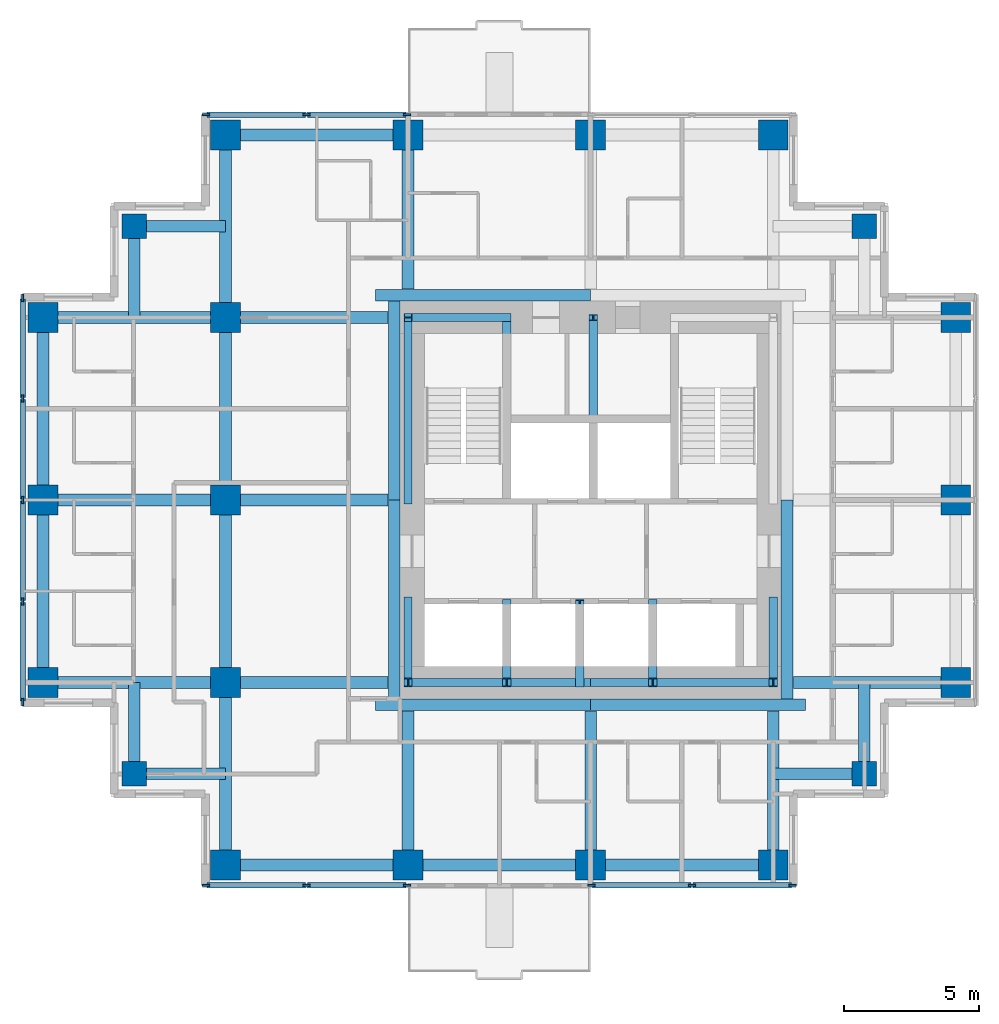
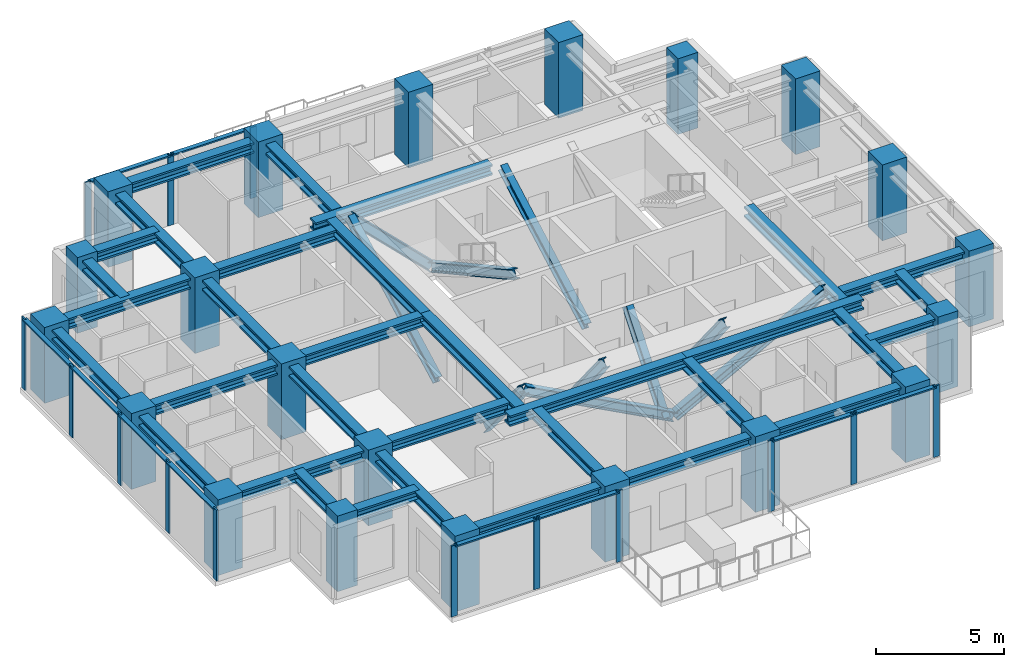
# One storey, part 1 of 8: 35 members, 33 beams, 21 columns, 4 elements without a shape of their own.
"""IFC4 building model written with IfcOpenShell, lengths in metres."""

from ifc_helpers import new_model, si_unit, direction, frame, origin, origin_2d, place, context, subcontext, project, spatial, rectangle, i_section, extrude, material, material_profile, profile_set, type_object, element, aggregate, save


model = new_model("IFC4")

# Units and contexts
model_context = context("Model", 3, precision=1e-05, world=origin(), true_north=direction((0.0, 1.0)))
body_context = subcontext(model_context, "Body", "Model", "MODEL_VIEW")
ifc_project = project(units=[si_unit("LENGTHUNIT", "METRE"), si_unit("AREAUNIT", "SQUARE_METRE"), si_unit("VOLUMEUNIT", "CUBIC_METRE"), si_unit("PLANEANGLEUNIT", "RADIAN"), si_unit("MASSUNIT", "GRAM", prefix="KILO")], contexts=[model_context])

# Site, building, storey
site_placement = place(None, origin())
site = spatial("IfcSite", under=ifc_project, at=site_placement, CompositionType="ELEMENT")
building_placement = place(site_placement, origin())
building = spatial("IfcBuilding", under=site, at=building_placement, Name="Nyansa Garden Tower", CompositionType="ELEMENT")
storey_placement = place(building_placement, frame((0.0, 0.0, 218.699951171875)))
storey = spatial("IfcBuildingStorey", under=building, at=storey_placement, Name="L59", CompositionType="ELEMENT", Elevation=218.699951171875)

# Columns
ifc_material_1 = material(Name="Concrete C70/85", Category="concrete")
ifc_material_profile_1 = material_profile(ifc_material_1, rectangle(XDim=1.10009765625, YDim=1.10009765625, at=origin_2d()), Name="RC 1100x1100")
ifc_profile_set_1 = profile_set([ifc_material_profile_1], Name="Concrete C70/85")
column_type_1 = type_object("IfcColumnType", Name="Column C110 RC 1100x1100", PredefinedType="COLUMN", material=ifc_profile_set_1)
for number, where, z_axis, x_axis, name in (
    (1, (0.0, 13.5, 0.0), (0.0, 0.0, 1.0), (1.0, 0.0, 0.0), "Column 2/F L59"),
    (2, (0.0, 20.25, 0.0), (0.0, 0.0, 1.0), (1.0, 0.0, 0.0), "Column 2/G L59"),
    (3, (0.0, 27.0, 0.0), (0.0, 0.0, 1.0), (1.0, 0.0, 0.0), "Column 2/H L59"),
    (4, (6.75, 6.75, 0.0), (0.0, 0.0, 1.0), (1.0, 0.0, 0.0), "Column 3/E L59"),
    (5, (6.75, 13.5, 0.0), (0.0, 0.0, 1.0), (1.0, 0.0, 0.0), "Column 3/F L59"),
    (6, (6.75, 20.25, 0.0), (0.0, 0.0, 1.0), (1.0, 0.0, 0.0), "Column 3/G L59"),
    (7, (6.75, 27.0, 0.0), (0.0, 0.0, 1.0), (1.0, 0.0, 0.0), "Column 3/H L59"),
    (8, (6.75, 33.75, 0.0), (0.0, 0.0, 1.0), (1.0, 0.0, 0.0), "Column 3/J L59"),
    (9, (13.5, 6.75, 0.0), (0.0, 0.0, 1.0), (1.0, 0.0, 0.0), "Column 4/E L59"),
    (10, (13.5, 33.75, 0.0), (0.0, 0.0, 1.0), (1.0, 0.0, 0.0), "Column 4/J L59"),
    (11, (20.25, 6.75, 0.0), (0.0, 0.0, 1.0), (1.0, 0.0, 0.0), "Column 5/E L59"),
    (12, (20.25, 33.75, 0.0), (0.0, 0.0, 1.0), (1.0, 0.0, 0.0), "Column 5/J L59"),
    (13, (27.0, 6.75, 0.0), (0.0, 0.0, 1.0), (1.0, 0.0, 0.0), "Column 6/E L59"),
    (14, (27.0, 33.75, 0.0), (0.0, 0.0, 1.0), (1.0, 0.0, 0.0), "Column 6/J L59"),
    (15, (33.75, 13.5, 0.0), (0.0, 0.0, 1.0), (1.0, 0.0, 0.0), "Column 7/F L59"),
    (16, (33.75, 20.25, 0.0), (0.0, 0.0, 1.0), (1.0, 0.0, 0.0), "Column 7/G L59"),
    (17, (33.75, 27.0, 0.0), (0.0, 0.0, 1.0), (1.0, 0.0, 0.0), "Column 7/H L59"),
):
    element("IfcColumn", number, at=place(storey_placement, frame(where, z_axis=z_axis, x_axis=x_axis)), inside=storey, type_object=column_type_1, Name=name, PredefinedType="COLUMN", context=body_context, shape_type="SweptSolid", body=[
        extrude(rectangle(XDim=1.10009765625, YDim=1.10009765625, at=origin_2d()), origin(), (0.0, 0.0, 1.0), 3.60009765625),
    ])
ifc_material_2 = material(Name="Concrete C70/85", Category="concrete")
ifc_material_profile_2 = material_profile(ifc_material_2, rectangle(XDim=0.89990234375, YDim=0.89990234375, at=origin_2d()), Name="RC 900x900")
ifc_profile_set_2 = profile_set([ifc_material_profile_2], Name="Concrete C70/85")
column_type_2 = type_object("IfcColumnType", Name="Column C90 RC 900x900", PredefinedType="COLUMN", material=ifc_profile_set_2)
for number, where, z_axis, x_axis, name in (
    (18, (3.375, 10.125, 0.0), (0.0, 0.0, 1.0), (1.0, 0.0, 0.0), "Column x3.375/y10.125 L59"),
    (19, (3.375, 30.375, 0.0), (0.0, 0.0, 1.0), (1.0, 0.0, 0.0), "Column x3.375/y30.375 L59"),
    (20, (30.375, 10.125, 0.0), (0.0, 0.0, 1.0), (1.0, 0.0, 0.0), "Column x30.375/y10.125 L59"),
    (21, (30.375, 30.375, 0.0), (0.0, 0.0, 1.0), (1.0, 0.0, 0.0), "Column x30.375/y30.375 L59"),
):
    element("IfcColumn", number, at=place(storey_placement, frame(where, z_axis=z_axis, x_axis=x_axis)), inside=storey, type_object=column_type_2, Name=name, PredefinedType="COLUMN", context=body_context, shape_type="SweptSolid", body=[
        extrude(rectangle(XDim=0.89990234375, YDim=0.89990234375, at=origin_2d()), origin(), (0.0, 0.0, 1.0), 3.60009765625),
    ])

# Curtain wall, members
ifc_material_3 = material(Name="Black anodised aluminium, dark tinted double glazing", Category="aluminium")
curtain_wall_type = type_object("IfcCurtainWallType", Name="Inner skin curtain wall ISW-D", PredefinedType="USERDEFINED", material=ifc_material_3)
curtain_wall_1_placement = place(storey_placement, origin())
curtain_wall_1 = element("IfcCurtainWall", 22, at=curtain_wall_1_placement, inside=storey, type_object=curtain_wall_type, Name="Inner skin curtain wall L59 N", ObjectType="UNITISED CURTAIN WALL", PredefinedType="USERDEFINED")
ifc_material_4 = material(Name="Black anodised aluminium", Category="aluminium")
ifc_material_profile_3 = material_profile(ifc_material_4, rectangle(XDim=0.070068359375, YDim=0.27490234375, at=origin_2d()), Name="Mullion 275x70")
ifc_profile_set_3 = profile_set([ifc_material_profile_3], Name="Black anodised aluminium")
member_type_1 = type_object("IfcMemberType", Name="Mullion ISW-D 275x70", PredefinedType="MULLION", material=ifc_profile_set_3)
member_1_placement = place(storey_placement, frame((13.465087890625, 34.5, 0.0), z_axis=(0.0, 0.0, 1.0), x_axis=(0.0, -1.0, 0.0)))
member_1 = element("IfcMember", 23, at=member_1_placement, type_object=member_type_1, Name="ISW-D mullion 1", PredefinedType="MULLION", context=body_context, shape_type="SweptSolid", body=[
    extrude(rectangle(XDim=0.070068359375, YDim=0.27490234375, at=origin_2d()), origin(), (0.0, 0.0, 1.0), 3.375),
])
member_2_placement = place(storey_placement, frame((9.75, 34.5, 0.0), z_axis=(0.0, 0.0, 1.0), x_axis=(0.0, -1.0, 0.0)))
member_2 = element("IfcMember", 24, at=member_2_placement, type_object=member_type_1, Name="ISW-D mullion 2", PredefinedType="MULLION", context=body_context, shape_type="SweptSolid", body=[
    extrude(rectangle(XDim=0.070068359375, YDim=0.27490234375, at=origin_2d()), origin(), (0.0, 0.0, 1.0), 3.375),
])
member_3_placement = place(storey_placement, frame((6.034912109375, 34.5, 0.0), z_axis=(0.0, 0.0, 1.0), x_axis=(0.0, -1.0, 0.0)))
member_3 = element("IfcMember", 25, at=member_3_placement, type_object=member_type_1, Name="ISW-D mullion 3", PredefinedType="MULLION", context=body_context, shape_type="SweptSolid", body=[
    extrude(rectangle(XDim=0.070068359375, YDim=0.27490234375, at=origin_2d()), origin(), (0.0, 0.0, 1.0), 3.375),
])

curtain_wall_2_placement = place(storey_placement, origin())
curtain_wall_2 = element("IfcCurtainWall", 26, at=curtain_wall_2_placement, inside=storey, type_object=curtain_wall_type, Name="Inner skin curtain wall L59 W", ObjectType="UNITISED CURTAIN WALL", PredefinedType="USERDEFINED")
member_4_placement = place(storey_placement, frame((-0.75, 27.715087890625, 0.0), z_axis=(0.0, 0.0, 1.0), x_axis=(1.0, 0.0, 0.0)))
member_4 = element("IfcMember", 27, at=member_4_placement, type_object=member_type_1, Name="ISW-D mullion 1", PredefinedType="MULLION", context=body_context, shape_type="SweptSolid", body=[
    extrude(rectangle(XDim=0.070068359375, YDim=0.27490234375, at=origin_2d()), origin(), (0.0, 0.0, 1.0), 3.375),
])
member_5_placement = place(storey_placement, frame((-0.75, 24.0, 0.0), z_axis=(0.0, 0.0, 1.0), x_axis=(1.0, 0.0, 0.0)))
member_5 = element("IfcMember", 28, at=member_5_placement, type_object=member_type_1, Name="ISW-D mullion 2", PredefinedType="MULLION", context=body_context, shape_type="SweptSolid", body=[
    extrude(rectangle(XDim=0.070068359375, YDim=0.27490234375, at=origin_2d()), origin(), (0.0, 0.0, 1.0), 3.375),
])
member_6_placement = place(storey_placement, frame((-0.75, 20.25, 0.0), z_axis=(0.0, 0.0, 1.0), x_axis=(1.0, 0.0, 0.0)))
member_6 = element("IfcMember", 29, at=member_6_placement, type_object=member_type_1, Name="ISW-D mullion 3", PredefinedType="MULLION", context=body_context, shape_type="SweptSolid", body=[
    extrude(rectangle(XDim=0.070068359375, YDim=0.27490234375, at=origin_2d()), origin(), (0.0, 0.0, 1.0), 3.375),
])
member_7_placement = place(storey_placement, frame((-0.75, 16.5, 0.0), z_axis=(0.0, 0.0, 1.0), x_axis=(1.0, 0.0, 0.0)))
member_7 = element("IfcMember", 30, at=member_7_placement, type_object=member_type_1, Name="ISW-D mullion 4", PredefinedType="MULLION", context=body_context, shape_type="SweptSolid", body=[
    extrude(rectangle(XDim=0.070068359375, YDim=0.27490234375, at=origin_2d()), origin(), (0.0, 0.0, 1.0), 3.375),
])
member_8_placement = place(storey_placement, frame((-0.75, 12.784912109375, 0.0), z_axis=(0.0, 0.0, 1.0), x_axis=(1.0, 0.0, 0.0)))
member_8 = element("IfcMember", 31, at=member_8_placement, type_object=member_type_1, Name="ISW-D mullion 5", PredefinedType="MULLION", context=body_context, shape_type="SweptSolid", body=[
    extrude(rectangle(XDim=0.070068359375, YDim=0.27490234375, at=origin_2d()), origin(), (0.0, 0.0, 1.0), 3.375),
])

curtain_wall_3_placement = place(storey_placement, origin())
curtain_wall_3 = element("IfcCurtainWall", 32, at=curtain_wall_3_placement, inside=storey, type_object=curtain_wall_type, Name="Inner skin curtain wall L59 S", ObjectType="UNITISED CURTAIN WALL", PredefinedType="USERDEFINED")
member_9_placement = place(storey_placement, frame((6.034912109375, 6.0, 0.0), z_axis=(0.0, 0.0, 1.0), x_axis=(0.0, 1.0, 0.0)))
member_9 = element("IfcMember", 33, at=member_9_placement, type_object=member_type_1, Name="ISW-D mullion 1", PredefinedType="MULLION", context=body_context, shape_type="SweptSolid", body=[
    extrude(rectangle(XDim=0.070068359375, YDim=0.27490234375, at=origin_2d()), origin(), (0.0, 0.0, 1.0), 3.375),
])
member_10_placement = place(storey_placement, frame((9.75, 6.0, 0.0), z_axis=(0.0, 0.0, 1.0), x_axis=(0.0, 1.0, 0.0)))
member_10 = element("IfcMember", 34, at=member_10_placement, type_object=member_type_1, Name="ISW-D mullion 2", PredefinedType="MULLION", context=body_context, shape_type="SweptSolid", body=[
    extrude(rectangle(XDim=0.070068359375, YDim=0.27490234375, at=origin_2d()), origin(), (0.0, 0.0, 1.0), 3.375),
])
member_11_placement = place(storey_placement, frame((13.465087890625, 6.0, 0.0), z_axis=(0.0, 0.0, 1.0), x_axis=(0.0, 1.0, 0.0)))
member_11 = element("IfcMember", 35, at=member_11_placement, type_object=member_type_1, Name="ISW-D mullion 3", PredefinedType="MULLION", context=body_context, shape_type="SweptSolid", body=[
    extrude(rectangle(XDim=0.070068359375, YDim=0.27490234375, at=origin_2d()), origin(), (0.0, 0.0, 1.0), 3.375),
])

curtain_wall_4_placement = place(storey_placement, origin())
curtain_wall_4 = element("IfcCurtainWall", 36, at=curtain_wall_4_placement, inside=storey, type_object=curtain_wall_type, Name="Inner skin curtain wall L59 S", ObjectType="UNITISED CURTAIN WALL", PredefinedType="USERDEFINED")
member_12_placement = place(storey_placement, frame((20.284912109375, 6.0, 0.0), z_axis=(0.0, 0.0, 1.0), x_axis=(0.0, 1.0, 0.0)))
member_12 = element("IfcMember", 37, at=member_12_placement, type_object=member_type_1, Name="ISW-D mullion 1", PredefinedType="MULLION", context=body_context, shape_type="SweptSolid", body=[
    extrude(rectangle(XDim=0.070068359375, YDim=0.27490234375, at=origin_2d()), origin(), (0.0, 0.0, 1.0), 3.375),
])
member_13_placement = place(storey_placement, frame((24.0, 6.0, 0.0), z_axis=(0.0, 0.0, 1.0), x_axis=(0.0, 1.0, 0.0)))
member_13 = element("IfcMember", 38, at=member_13_placement, type_object=member_type_1, Name="ISW-D mullion 2", PredefinedType="MULLION", context=body_context, shape_type="SweptSolid", body=[
    extrude(rectangle(XDim=0.070068359375, YDim=0.27490234375, at=origin_2d()), origin(), (0.0, 0.0, 1.0), 3.375),
])
member_14_placement = place(storey_placement, frame((27.715087890625, 6.0, 0.0), z_axis=(0.0, 0.0, 1.0), x_axis=(0.0, 1.0, 0.0)))
member_14 = element("IfcMember", 39, at=member_14_placement, type_object=member_type_1, Name="ISW-D mullion 3", PredefinedType="MULLION", context=body_context, shape_type="SweptSolid", body=[
    extrude(rectangle(XDim=0.070068359375, YDim=0.27490234375, at=origin_2d()), origin(), (0.0, 0.0, 1.0), 3.375),
])

# Members
ifc_material_5 = material(Name="Steel S355", Category="steel")
ifc_material_profile_4 = material_profile(ifc_material_5, i_section(OverallWidth=0.306884765625, OverallDepth=0.431884765625, WebThickness=0.02099609375, FlangeThickness=0.0400390625, FilletRadius=0.027099609375, at=origin_2d()), Name="HE 400 M")
ifc_profile_set_4 = profile_set([ifc_material_profile_4], Name="Steel S355")
member_type_2 = type_object("IfcMemberType", Name="Perimeter brace HE 400 M", PredefinedType="BRACE", material=ifc_profile_set_4)
for number, where, z_axis, x_axis, name in (
    (40, (20.25, 13.5, 0.0), (-0.882347640589, 0.0, 0.47059817376), (0.0, -1.0, 0.0), "Core brace CS1 L59"),
    (41, (20.25, 13.5, 0.0), (0.882347640589, 0.0, 0.47059817376), (0.0, 1.0, 0.0), "Core brace CS2 L59"),
):
    element("IfcMember", number, at=place(storey_placement, frame(where, z_axis=z_axis, x_axis=x_axis)), inside=storey, type_object=member_type_2, Name=name, PredefinedType="BRACE", context=body_context, shape_type="SweptSolid", body=[
        extrude(i_section(OverallWidth=0.306884765625, OverallDepth=0.431884765625, WebThickness=0.02099609375, FlangeThickness=0.0400390625, FilletRadius=0.027099609375, at=origin_2d()), origin(), (0.0, 0.0, 1.0), 7.650146484375),
    ])
member_15_placement = place(storey_placement, frame((17.14990234375, 27.0, 0.0), z_axis=(-0.711947531702, 0.0, 0.702232662373), x_axis=(0.0, -1.0, 0.0)))
element("IfcMember", 42, at=member_15_placement, inside=storey, type_object=member_type_2, Name="Core brace CN3 L59", PredefinedType="BRACE", context=body_context, shape_type="SweptSolid", body=[
    extrude(i_section(OverallWidth=0.306884765625, OverallDepth=0.431884765625, WebThickness=0.02099609375, FlangeThickness=0.0400390625, FilletRadius=0.027099609375, at=origin_2d()), origin(), (0.0, 0.0, 1.0), 5.126708984375),
])
member_16_placement = place(storey_placement, frame((13.5, 16.5, 0.0), z_axis=(0.0, -0.640174150918, 0.768229820104), x_axis=(1.0, 0.0, 0.0)))
element("IfcMember", 43, at=member_16_placement, inside=storey, type_object=member_type_2, Name="Core brace CW5 L59", PredefinedType="BRACE", context=body_context, shape_type="SweptSolid", body=[
    extrude(i_section(OverallWidth=0.306884765625, OverallDepth=0.431884765625, WebThickness=0.02099609375, FlangeThickness=0.0400390625, FilletRadius=0.027099609375, at=origin_2d()), origin(), (0.0, 0.0, 1.0), 4.686279296875),
])
member_17_placement = place(storey_placement, frame((13.5, 20.199951171875, 0.0), z_axis=(0.0, 0.883784057226, 0.467895009796), x_axis=(-1.0, 0.0, 0.0)))
element("IfcMember", 44, at=member_17_placement, inside=storey, type_object=member_type_2, Name="Core brace CW6 L59", PredefinedType="BRACE", context=body_context, shape_type="SweptSolid", body=[
    extrude(i_section(OverallWidth=0.306884765625, OverallDepth=0.431884765625, WebThickness=0.02099609375, FlangeThickness=0.0400390625, FilletRadius=0.027099609375, at=origin_2d()), origin(), (0.0, 0.0, 1.0), 7.6943359375),
])
member_18_placement = place(storey_placement, frame((27.0, 16.5, 0.0), z_axis=(0.0, -0.640174150918, 0.768229820104), x_axis=(1.0, 0.0, 0.0)))
element("IfcMember", 45, at=member_18_placement, inside=storey, type_object=member_type_2, Name="Core brace CE7 L59", PredefinedType="BRACE", context=body_context, shape_type="SweptSolid", body=[
    extrude(i_section(OverallWidth=0.306884765625, OverallDepth=0.431884765625, WebThickness=0.02099609375, FlangeThickness=0.0400390625, FilletRadius=0.027099609375, at=origin_2d()), origin(), (0.0, 0.0, 1.0), 4.686279296875),
])
member_19_placement = place(storey_placement, frame((17.14990234375, 27.0, 0.0), z_axis=(0.0, -0.876353113771, 0.481669201822), x_axis=(1.0, 0.0, 0.0)))
element("IfcMember", 46, at=member_19_placement, inside=storey, type_object=member_type_2, Name="Core brace CWS9 L59", PredefinedType="BRACE", context=body_context, shape_type="SweptSolid", body=[
    extrude(i_section(OverallWidth=0.306884765625, OverallDepth=0.431884765625, WebThickness=0.02099609375, FlangeThickness=0.0400390625, FilletRadius=0.027099609375, at=origin_2d()), origin(), (0.0, 0.0, 1.0), 7.47412109375),
])
for number, where, z_axis, x_axis, name in (
    (47, (17.14990234375, 16.39990234375, 0.0), (0.0, -0.627306405886, 0.778772542617), (1.0, 0.0, 0.0), "Core brace CSW11 L59"),
    (48, (19.85009765625, 13.5, 0.0), (0.0, 0.627306405886, 0.778772542617), (-1.0, 0.0, 0.0), "Core brace CSW12 L59"),
    (49, (22.550048828125, 16.39990234375, 0.0), (0.0, -0.627306405886, 0.778772542617), (1.0, 0.0, 0.0), "Core brace CSW13 L59"),
):
    element("IfcMember", number, at=place(storey_placement, frame(where, z_axis=z_axis, x_axis=x_axis)), inside=storey, type_object=member_type_2, Name=name, PredefinedType="BRACE", context=body_context, shape_type="SweptSolid", body=[
        extrude(i_section(OverallWidth=0.306884765625, OverallDepth=0.431884765625, WebThickness=0.02099609375, FlangeThickness=0.0400390625, FilletRadius=0.027099609375, at=origin_2d()), origin(), (0.0, 0.0, 1.0), 4.622802734375),
    ])
member_20_placement = place(storey_placement, frame((20.35009765625, 20.449951171875, 0.0), z_axis=(0.0, 0.876353113771, 0.481669201822), x_axis=(-1.0, 0.0, 0.0)))
element("IfcMember", 50, at=member_20_placement, inside=storey, type_object=member_type_2, Name="Core brace CNW14 L59", PredefinedType="BRACE", context=body_context, shape_type="SweptSolid", body=[
    extrude(i_section(OverallWidth=0.306884765625, OverallDepth=0.431884765625, WebThickness=0.02099609375, FlangeThickness=0.0400390625, FilletRadius=0.027099609375, at=origin_2d()), origin(), (0.0, 0.0, 1.0), 7.47412109375),
])

# Beams
ifc_material_6 = material(Name="Steel S355", Category="steel")
ifc_material_profile_5 = material_profile(ifc_material_6, i_section(OverallWidth=0.431884765625, OverallDepth=0.498046875, WebThickness=0.0556640625, FlangeThickness=0.0888671875, FilletRadius=0.014892578125, at=origin_2d()), Name="HD 400x744")
ifc_profile_set_5 = profile_set([ifc_material_profile_5], Name="Steel S355")
beam_type_1 = type_object("IfcBeamType", Name="Steel beam SBD1-744 HD 400x744", PredefinedType="BEAM", material=ifc_profile_set_5)
for number, where, z_axis, x_axis, name in (
    (51, (0.0, 13.5, 3.1259765625), (1.0, 0.0, 0.0), (0.0, 1.0, 0.0), "Steel beam 2/F-3/F L60"),
    (52, (0.0, 20.25, 3.1259765625), (1.0, 0.0, 0.0), (0.0, 1.0, 0.0), "Steel beam 2/G-3/G L60"),
    (53, (0.0, 27.0, 3.1259765625), (1.0, 0.0, 0.0), (0.0, 1.0, 0.0), "Steel beam 2/H-3/H L60"),
    (54, (6.75, 6.75, 3.1259765625), (0.0, 1.0, 0.0), (-1.0, 0.0, 0.0), "Steel beam 3/E-3/F L60"),
    (55, (6.75, 13.5, 3.1259765625), (0.0, 1.0, 0.0), (-1.0, 0.0, 0.0), "Steel beam 3/F-3/G L60"),
):
    element("IfcBeam", number, at=place(storey_placement, frame(where, z_axis=z_axis, x_axis=x_axis)), inside=storey, type_object=beam_type_1, Name=name, PredefinedType="BEAM", context=body_context, shape_type="SweptSolid", body=[
        extrude(i_section(OverallWidth=0.431884765625, OverallDepth=0.498046875, WebThickness=0.0556640625, FlangeThickness=0.0888671875, FilletRadius=0.014892578125, at=origin_2d()), origin(), (0.0, 0.0, 1.0), 6.75),
    ])
beam_1_placement = place(storey_placement, frame((6.75, 13.5, 3.1259765625), z_axis=(1.0, 0.0, 0.0), x_axis=(0.0, 1.0, 0.0)))
element("IfcBeam", 56, at=beam_1_placement, inside=storey, type_object=beam_type_1, Name="Steel beam 3/F-12.750/F L60", PredefinedType="BEAM", context=body_context, shape_type="SweptSolid", body=[
    extrude(i_section(OverallWidth=0.431884765625, OverallDepth=0.498046875, WebThickness=0.0556640625, FlangeThickness=0.0888671875, FilletRadius=0.014892578125, at=origin_2d()), origin(), (0.0, 0.0, 1.0), 6.0),
])
beam_2_placement = place(storey_placement, frame((6.75, 20.25, 3.1259765625), z_axis=(0.0, 1.0, 0.0), x_axis=(-1.0, 0.0, 0.0)))
element("IfcBeam", 57, at=beam_2_placement, inside=storey, type_object=beam_type_1, Name="Steel beam 3/G-3/H L60", PredefinedType="BEAM", context=body_context, shape_type="SweptSolid", body=[
    extrude(i_section(OverallWidth=0.431884765625, OverallDepth=0.498046875, WebThickness=0.0556640625, FlangeThickness=0.0888671875, FilletRadius=0.014892578125, at=origin_2d()), origin(), (0.0, 0.0, 1.0), 6.75),
])
beam_3_placement = place(storey_placement, frame((6.75, 20.25, 3.1259765625), z_axis=(1.0, 0.0, 0.0), x_axis=(0.0, 1.0, 0.0)))
element("IfcBeam", 58, at=beam_3_placement, inside=storey, type_object=beam_type_1, Name="Steel beam 3/G-12.750/G L60", PredefinedType="BEAM", context=body_context, shape_type="SweptSolid", body=[
    extrude(i_section(OverallWidth=0.431884765625, OverallDepth=0.498046875, WebThickness=0.0556640625, FlangeThickness=0.0888671875, FilletRadius=0.014892578125, at=origin_2d()), origin(), (0.0, 0.0, 1.0), 6.0),
])
beam_4_placement = place(storey_placement, frame((6.75, 27.0, 3.1259765625), z_axis=(0.0, 1.0, 0.0), x_axis=(-1.0, 0.0, 0.0)))
element("IfcBeam", 59, at=beam_4_placement, inside=storey, type_object=beam_type_1, Name="Steel beam 3/H-3/J L60", PredefinedType="BEAM", context=body_context, shape_type="SweptSolid", body=[
    extrude(i_section(OverallWidth=0.431884765625, OverallDepth=0.498046875, WebThickness=0.0556640625, FlangeThickness=0.0888671875, FilletRadius=0.014892578125, at=origin_2d()), origin(), (0.0, 0.0, 1.0), 6.75),
])
beam_5_placement = place(storey_placement, frame((6.75, 27.0, 3.1259765625), z_axis=(1.0, 0.0, 0.0), x_axis=(0.0, 1.0, 0.0)))
element("IfcBeam", 60, at=beam_5_placement, inside=storey, type_object=beam_type_1, Name="Steel beam 3/H-12.750/H L60", PredefinedType="BEAM", context=body_context, shape_type="SweptSolid", body=[
    extrude(i_section(OverallWidth=0.431884765625, OverallDepth=0.498046875, WebThickness=0.0556640625, FlangeThickness=0.0888671875, FilletRadius=0.014892578125, at=origin_2d()), origin(), (0.0, 0.0, 1.0), 6.0),
])
for number, where, z_axis, x_axis, name in (
    (61, (13.5, 6.75, 3.1259765625), (0.0, 1.0, 0.0), (-1.0, 0.0, 0.0), "Steel beam 4/E-4/12.450 L60"),
    (62, (13.5, 28.050048828125, 3.1259765625), (0.0, 1.0, 0.0), (-1.0, 0.0, 0.0), "Steel beam 4/28.050-4/J L60"),
    (63, (20.25, 6.75, 3.1259765625), (0.0, 1.0, 0.0), (-1.0, 0.0, 0.0), "Steel beam 5/E-5/12.450 L60"),
    (64, (27.0, 6.75, 3.1259765625), (0.0, 1.0, 0.0), (-1.0, 0.0, 0.0), "Steel beam 6/E-6/12.450 L60"),
):
    element("IfcBeam", number, at=place(storey_placement, frame(where, z_axis=z_axis, x_axis=x_axis)), inside=storey, type_object=beam_type_1, Name=name, PredefinedType="BEAM", context=body_context, shape_type="SweptSolid", body=[
        extrude(i_section(OverallWidth=0.431884765625, OverallDepth=0.498046875, WebThickness=0.0556640625, FlangeThickness=0.0888671875, FilletRadius=0.014892578125, at=origin_2d()), origin(), (0.0, 0.0, 1.0), 5.699951171875),
    ])
beam_6_placement = place(storey_placement, frame((27.75, 13.5, 3.1259765625), z_axis=(1.0, 0.0, 0.0), x_axis=(0.0, 1.0, 0.0)))
element("IfcBeam", 65, at=beam_6_placement, inside=storey, type_object=beam_type_1, Name="Steel beam 27.750/F-7/F L60", PredefinedType="BEAM", context=body_context, shape_type="SweptSolid", body=[
    extrude(i_section(OverallWidth=0.431884765625, OverallDepth=0.498046875, WebThickness=0.0556640625, FlangeThickness=0.0888671875, FilletRadius=0.014892578125, at=origin_2d()), origin(), (0.0, 0.0, 1.0), 6.0),
])
ifc_material_7 = material(Name="Steel S355", Category="steel")
ifc_material_profile_6 = material_profile(ifc_material_7, i_section(OverallWidth=0.431884765625, OverallDepth=0.498046875, WebThickness=0.0556640625, FlangeThickness=0.0888671875, FilletRadius=0.014892578125, at=origin_2d()), Name="HD 400x744")
ifc_profile_set_6 = profile_set([ifc_material_profile_6], Name="Steel S355")
beam_type_2 = type_object("IfcBeamType", Name="Steel beam SEBD-744 HD 400x744", PredefinedType="BEAM", material=ifc_profile_set_6)
for number, where, z_axis, x_axis, name in (
    (66, (0.0, 13.5, 3.1259765625), (0.0, 1.0, 0.0), (-1.0, 0.0, 0.0), "Steel edge beam 2/F-2/G L60"),
    (67, (0.0, 20.25, 3.1259765625), (0.0, 1.0, 0.0), (-1.0, 0.0, 0.0), "Steel edge beam 2/G-2/H L60"),
    (68, (6.75, 6.75, 3.1259765625), (1.0, 0.0, 0.0), (0.0, 1.0, 0.0), "Steel edge beam 3/E-4/E L60"),
    (69, (6.75, 33.75, 3.1259765625), (1.0, 0.0, 0.0), (0.0, 1.0, 0.0), "Steel edge beam 3/J-4/J L60"),
    (70, (13.5, 6.75, 3.1259765625), (1.0, 0.0, 0.0), (0.0, 1.0, 0.0), "Steel edge beam 4/E-5/E L60"),
    (71, (20.25, 6.75, 3.1259765625), (1.0, 0.0, 0.0), (0.0, 1.0, 0.0), "Steel edge beam 5/E-6/E L60"),
):
    element("IfcBeam", number, at=place(storey_placement, frame(where, z_axis=z_axis, x_axis=x_axis)), inside=storey, type_object=beam_type_2, Name=name, PredefinedType="BEAM", context=body_context, shape_type="SweptSolid", body=[
        extrude(i_section(OverallWidth=0.431884765625, OverallDepth=0.498046875, WebThickness=0.0556640625, FlangeThickness=0.0888671875, FilletRadius=0.014892578125, at=origin_2d()), origin(), (0.0, 0.0, 1.0), 6.75),
    ])
ifc_material_8 = material(Name="Steel S355", Category="steel")
ifc_material_profile_7 = material_profile(ifc_material_8, i_section(OverallWidth=0.431884765625, OverallDepth=0.498046875, WebThickness=0.0556640625, FlangeThickness=0.0888671875, FilletRadius=0.014892578125, at=origin_2d()), Name="HD 400x744")
ifc_profile_set_7 = profile_set([ifc_material_profile_7], Name="Steel S355")
beam_type_3 = type_object("IfcBeamType", Name="Steel beam SLB1-744 HD 400x744", PredefinedType="BEAM", material=ifc_profile_set_7)
for number, where, z_axis, x_axis, name in (
    (72, (12.300048828125, 12.68408203125, 3.1259765625), (1.0, 0.0, 0.0), (0.0, 1.0, 0.0), "Steel core ledger beam S.1 L60"),
    (73, (20.25, 12.68408203125, 3.1259765625), (1.0, 0.0, 0.0), (0.0, 1.0, 0.0), "Steel core ledger beam S.2 L60"),
):
    element("IfcBeam", number, at=place(storey_placement, frame(where, z_axis=z_axis, x_axis=x_axis)), inside=storey, type_object=beam_type_3, Name=name, PredefinedType="BEAM", context=body_context, shape_type="SweptSolid", body=[
        extrude(i_section(OverallWidth=0.431884765625, OverallDepth=0.498046875, WebThickness=0.0556640625, FlangeThickness=0.0888671875, FilletRadius=0.014892578125, at=origin_2d()), origin(), (0.0, 0.0, 1.0), 7.949951171875),
    ])
beam_7_placement = place(storey_placement, frame((27.51611328125, 12.89990234375, 3.1259765625), z_axis=(0.0, 1.0, 0.0), x_axis=(-1.0, 0.0, 0.0)))
element("IfcBeam", 74, at=beam_7_placement, inside=storey, type_object=beam_type_3, Name="Steel core ledger beam E.1 L60", PredefinedType="BEAM", context=body_context, shape_type="SweptSolid", body=[
    extrude(i_section(OverallWidth=0.431884765625, OverallDepth=0.498046875, WebThickness=0.0556640625, FlangeThickness=0.0888671875, FilletRadius=0.014892578125, at=origin_2d()), origin(), (0.0, 0.0, 1.0), 7.35009765625),
])
beam_8_placement = place(storey_placement, frame((20.25, 27.81591796875, 3.1259765625), z_axis=(-1.0, 0.0, 0.0), x_axis=(0.0, -1.0, 0.0)))
element("IfcBeam", 75, at=beam_8_placement, inside=storey, type_object=beam_type_3, Name="Steel core ledger beam N.2 L60", PredefinedType="BEAM", context=body_context, shape_type="SweptSolid", body=[
    extrude(i_section(OverallWidth=0.431884765625, OverallDepth=0.498046875, WebThickness=0.0556640625, FlangeThickness=0.0888671875, FilletRadius=0.014892578125, at=origin_2d()), origin(), (0.0, 0.0, 1.0), 7.949951171875),
])
for number, where, z_axis, x_axis, name in (
    (76, (12.98388671875, 27.60009765625, 3.1259765625), (0.0, -1.0, 0.0), (1.0, 0.0, 0.0), "Steel core ledger beam W.1 L60"),
    (77, (12.98388671875, 20.25, 3.1259765625), (0.0, -1.0, 0.0), (1.0, 0.0, 0.0), "Steel core ledger beam W.2 L60"),
):
    element("IfcBeam", number, at=place(storey_placement, frame(where, z_axis=z_axis, x_axis=x_axis)), inside=storey, type_object=beam_type_3, Name=name, PredefinedType="BEAM", context=body_context, shape_type="SweptSolid", body=[
        extrude(i_section(OverallWidth=0.431884765625, OverallDepth=0.498046875, WebThickness=0.0556640625, FlangeThickness=0.0888671875, FilletRadius=0.014892578125, at=origin_2d()), origin(), (0.0, 0.0, 1.0), 7.35009765625),
    ])
ifc_material_9 = material(Name="Steel S355", Category="steel")
ifc_material_profile_8 = material_profile(ifc_material_9, i_section(OverallWidth=0.431884765625, OverallDepth=0.498046875, WebThickness=0.0556640625, FlangeThickness=0.0888671875, FilletRadius=0.014892578125, at=origin_2d()), Name="HD 400x744")
ifc_profile_set_8 = profile_set([ifc_material_profile_8], Name="Steel S355")
beam_type_4 = type_object("IfcBeamType", Name="Steel beam SSB1-744 HD 400x744", PredefinedType="BEAM", material=ifc_profile_set_8)
for number, where, z_axis, x_axis, name in (
    (78, (3.375, 10.125, 3.1259765625), (0.0, 1.0, 0.0), (-1.0, 0.0, 0.0), "Steel step beam 3.375/10.125 L60"),
    (79, (3.375, 10.125, 3.1259765625), (1.0, 0.0, 0.0), (0.0, 1.0, 0.0), "Steel step beam 3.375/10.125 L60"),
    (80, (30.375, 10.125, 3.1259765625), (0.0, 1.0, 0.0), (-1.0, 0.0, 0.0), "Steel step beam 30.375/10.125 L60"),
    (81, (30.375, 10.125, 3.1259765625), (-1.0, 0.0, 0.0), (0.0, -1.0, 0.0), "Steel step beam 30.375/10.125 L60"),
    (82, (3.375, 30.375, 3.1259765625), (0.0, -1.0, 0.0), (1.0, 0.0, 0.0), "Steel step beam 3.375/30.375 L60"),
    (83, (3.375, 30.375, 3.1259765625), (1.0, 0.0, 0.0), (0.0, 1.0, 0.0), "Steel step beam 3.375/30.375 L60"),
):
    element("IfcBeam", number, at=place(storey_placement, frame(where, z_axis=z_axis, x_axis=x_axis)), inside=storey, type_object=beam_type_4, Name=name, PredefinedType="BEAM", context=body_context, shape_type="SweptSolid", body=[
        extrude(i_section(OverallWidth=0.431884765625, OverallDepth=0.498046875, WebThickness=0.0556640625, FlangeThickness=0.0888671875, FilletRadius=0.014892578125, at=origin_2d()), origin(), (0.0, 0.0, 1.0), 3.375),
    ])

# Member
ifc_material_10 = material(Name="Black anodised aluminium", Category="aluminium")
ifc_material_profile_9 = material_profile(ifc_material_10, rectangle(XDim=0.195068359375, YDim=0.070068359375, at=origin_2d()), Name="Transom 195x70")
ifc_profile_set_9 = profile_set([ifc_material_profile_9], Name="Black anodised aluminium")
member_type_3 = type_object("IfcMemberType", Name="Transom ISW-D 195x70", PredefinedType="USERDEFINED", material=ifc_profile_set_9)
member_21_placement = place(storey_placement, frame((13.429931640625, 34.5, 3.340087890625), z_axis=(-1.0, 0.0, 0.0), x_axis=(0.0, -1.0, 0.0)))
member_21 = element("IfcMember", 84, at=member_21_placement, type_object=member_type_3, Name="ISW-D transom 1", ObjectType="TRANSOM", PredefinedType="USERDEFINED", context=body_context, shape_type="SweptSolid", body=[
    extrude(rectangle(XDim=0.195068359375, YDim=0.070068359375, at=origin_2d()), origin(), (0.0, 0.0, 1.0), 3.64501953125),
])

member_22_placement = place(storey_placement, frame((9.715087890625, 34.5, 3.340087890625), z_axis=(-1.0, 0.0, 0.0), x_axis=(0.0, -1.0, 0.0)))
member_22 = element("IfcMember", 85, at=member_22_placement, type_object=member_type_3, Name="ISW-D transom 2", ObjectType="TRANSOM", PredefinedType="USERDEFINED", context=body_context, shape_type="SweptSolid", body=[
    extrude(rectangle(XDim=0.195068359375, YDim=0.070068359375, at=origin_2d()), origin(), (0.0, 0.0, 1.0), 3.64501953125),
])

aggregate(curtain_wall_1, [member_1, member_2, member_3, member_21, member_22])

member_23_placement = place(storey_placement, frame((-0.75, 27.679931640625, 3.340087890625), z_axis=(0.0, -1.0, 0.0), x_axis=(1.0, 0.0, 0.0)))
member_23 = element("IfcMember", 86, at=member_23_placement, type_object=member_type_3, Name="ISW-D transom 1", ObjectType="TRANSOM", PredefinedType="USERDEFINED", context=body_context, shape_type="SweptSolid", body=[
    extrude(rectangle(XDim=0.195068359375, YDim=0.070068359375, at=origin_2d()), origin(), (0.0, 0.0, 1.0), 3.64501953125),
])

member_24_placement = place(storey_placement, frame((-0.75, 23.965087890625, 3.340087890625), z_axis=(0.0, -1.0, 0.0), x_axis=(1.0, 0.0, 0.0)))
member_24 = element("IfcMember", 87, at=member_24_placement, type_object=member_type_3, Name="ISW-D transom 2", ObjectType="TRANSOM", PredefinedType="USERDEFINED", context=body_context, shape_type="SweptSolid", body=[
    extrude(rectangle(XDim=0.195068359375, YDim=0.070068359375, at=origin_2d()), origin(), (0.0, 0.0, 1.0), 3.68017578125),
])

member_25_placement = place(storey_placement, frame((-0.75, 20.215087890625, 3.340087890625), z_axis=(0.0, -1.0, 0.0), x_axis=(1.0, 0.0, 0.0)))
member_25 = element("IfcMember", 88, at=member_25_placement, type_object=member_type_3, Name="ISW-D transom 3", ObjectType="TRANSOM", PredefinedType="USERDEFINED", context=body_context, shape_type="SweptSolid", body=[
    extrude(rectangle(XDim=0.195068359375, YDim=0.070068359375, at=origin_2d()), origin(), (0.0, 0.0, 1.0), 3.68017578125),
])

member_26_placement = place(storey_placement, frame((-0.75, 16.465087890625, 3.340087890625), z_axis=(0.0, -1.0, 0.0), x_axis=(1.0, 0.0, 0.0)))
member_26 = element("IfcMember", 89, at=member_26_placement, type_object=member_type_3, Name="ISW-D transom 4", ObjectType="TRANSOM", PredefinedType="USERDEFINED", context=body_context, shape_type="SweptSolid", body=[
    extrude(rectangle(XDim=0.195068359375, YDim=0.070068359375, at=origin_2d()), origin(), (0.0, 0.0, 1.0), 3.64501953125),
])

aggregate(curtain_wall_2, [member_4, member_5, member_6, member_7, member_8, member_23, member_24, member_25, member_26])

member_27_placement = place(storey_placement, frame((6.070068359375, 6.0, 3.340087890625), z_axis=(1.0, 0.0, 0.0), x_axis=(0.0, 1.0, 0.0)))
member_27 = element("IfcMember", 90, at=member_27_placement, type_object=member_type_3, Name="ISW-D transom 1", ObjectType="TRANSOM", PredefinedType="USERDEFINED", context=body_context, shape_type="SweptSolid", body=[
    extrude(rectangle(XDim=0.195068359375, YDim=0.070068359375, at=origin_2d()), origin(), (0.0, 0.0, 1.0), 3.64501953125),
])

member_28_placement = place(storey_placement, frame((9.784912109375, 6.0, 3.340087890625), z_axis=(1.0, 0.0, 0.0), x_axis=(0.0, 1.0, 0.0)))
member_28 = element("IfcMember", 91, at=member_28_placement, type_object=member_type_3, Name="ISW-D transom 2", ObjectType="TRANSOM", PredefinedType="USERDEFINED", context=body_context, shape_type="SweptSolid", body=[
    extrude(rectangle(XDim=0.195068359375, YDim=0.070068359375, at=origin_2d()), origin(), (0.0, 0.0, 1.0), 3.64501953125),
])

aggregate(curtain_wall_3, [member_9, member_10, member_11, member_27, member_28])

member_29_placement = place(storey_placement, frame((20.320068359375, 6.0, 3.340087890625), z_axis=(1.0, 0.0, 0.0), x_axis=(0.0, 1.0, 0.0)))
member_29 = element("IfcMember", 92, at=member_29_placement, type_object=member_type_3, Name="ISW-D transom 1", ObjectType="TRANSOM", PredefinedType="USERDEFINED", context=body_context, shape_type="SweptSolid", body=[
    extrude(rectangle(XDim=0.195068359375, YDim=0.070068359375, at=origin_2d()), origin(), (0.0, 0.0, 1.0), 3.64501953125),
])

member_30_placement = place(storey_placement, frame((24.034912109375, 6.0, 3.340087890625), z_axis=(1.0, 0.0, 0.0), x_axis=(0.0, 1.0, 0.0)))
member_30 = element("IfcMember", 93, at=member_30_placement, type_object=member_type_3, Name="ISW-D transom 2", ObjectType="TRANSOM", PredefinedType="USERDEFINED", context=body_context, shape_type="SweptSolid", body=[
    extrude(rectangle(XDim=0.195068359375, YDim=0.070068359375, at=origin_2d()), origin(), (0.0, 0.0, 1.0), 3.64501953125),
])

aggregate(curtain_wall_4, [member_12, member_13, member_14, member_29, member_30])

save(model, "model.ifc")
